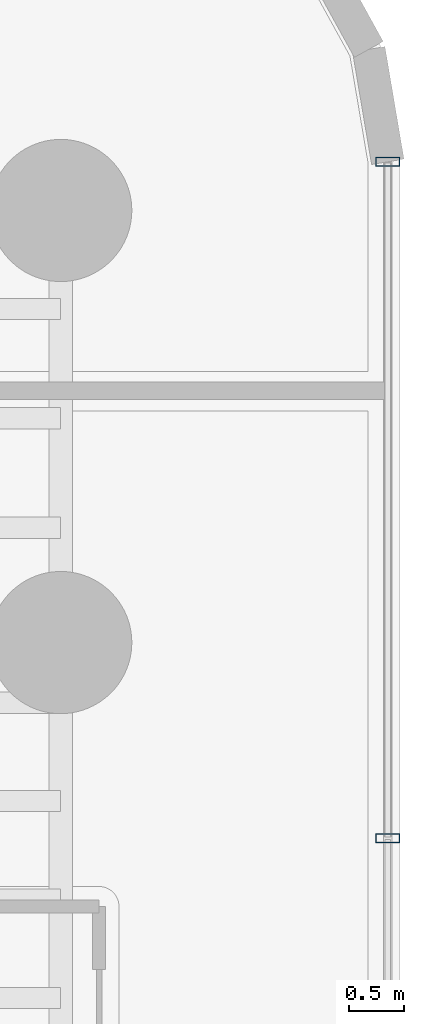
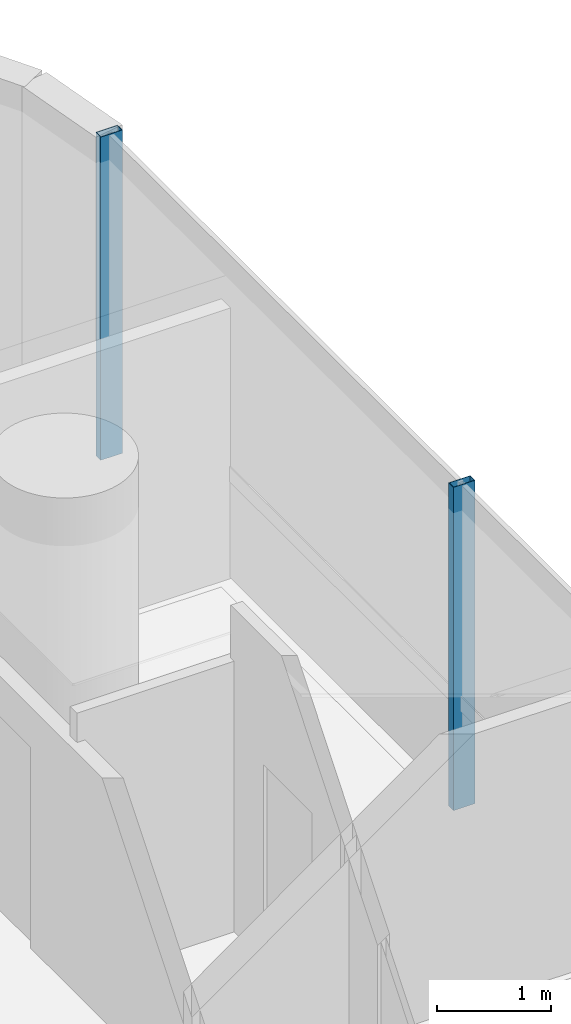
# One storey, part 27 of 41: 2 members, 1 element without a shape of its own.
"""IFC4 building model written with IfcOpenShell, lengths in metres."""

from ifc_helpers import new_model, si_unit, direction, frame, origin, origin_2d, place, context, subcontext, project, spatial, hollow_rectangle, extrude, source, transform, mapped, material, material_profile, profile_set, type_object, element, aggregate, save


model = new_model("IFC4")

# Units and contexts
model_context = context("Model", 3, precision=1e-05, world=origin(), true_north=direction((0.0, 1.0)))
body_context = subcontext(model_context, "Body", "Model", "MODEL_VIEW")
ifc_project = project(units=[si_unit("LENGTHUNIT", "METRE"), si_unit("AREAUNIT", "SQUARE_METRE"), si_unit("VOLUMEUNIT", "CUBIC_METRE"), si_unit("PLANEANGLEUNIT", "RADIAN"), si_unit("MASSUNIT", "GRAM", prefix="KILO")], contexts=[model_context])

# Site, building, storey
site_placement = place(None, origin())
site = spatial("IfcSite", under=ifc_project, at=site_placement, CompositionType="ELEMENT")
building_placement = place(site_placement, origin())
building = spatial("IfcBuilding", under=site, at=building_placement, Name="Valdorenza Pilgrim Sanctuary Tower", CompositionType="ELEMENT")
storey_placement = place(building_placement, frame((0.0, 0.0, 63.0)))
storey = spatial("IfcBuildingStorey", under=building, at=storey_placement, Name="L15", CompositionType="ELEMENT", Elevation=63.0)

# Curtain wall, members
ifc_material_1 = material(Name="Curtain-wall IGU glazing", Category="glass")
curtain_wall_type = type_object("IfcCurtainWallType", Name="CW-SYS-03", PredefinedType="NOTDEFINED", material=ifc_material_1)
curtain_wall_placement = place(storey_placement, origin())
curtain_wall = element("IfcCurtainWall", 1, at=curtain_wall_placement, inside=storey, type_object=curtain_wall_type, Name="L15 Curtain Wall CW-L15-1-21", PredefinedType="NOTDEFINED")
ifc_material_2 = material(Name="Anodised aluminium AW-6060", Category="aluminium")
ifc_material_profile = material_profile(ifc_material_2, hollow_rectangle(XDim=0.0849609375, YDim=0.219970703125, WallThickness=0.0048828125, at=origin_2d()), Name="ALU-M 220x85x5")
ifc_profile_set = profile_set([ifc_material_profile], Name="Anodised aluminium AW-6060")
member_type = type_object("IfcMemberType", Name="CW-MUL-03", PredefinedType="MULLION", material=ifc_profile_set)
shared_shape = source(origin(), body_context, "Body", "SweptSolid", [
    extrude(hollow_rectangle(XDim=0.0849609375, YDim=0.219970703125, WallThickness=0.0048828125, at=origin_2d()), origin(), (0.0, 0.0, 1.0), 3.4599609375),
])
member_1_placement = place(storey_placement, frame((31.389892578125, 13.945068359375, 0.0), z_axis=(0.0, 0.0, 1.0), x_axis=(0.0, -1.0, 0.0)))
member_1 = element("IfcMember", 2, at=member_1_placement, type_object=member_type, Name="CW-L15-1-21 Mullion 1", PredefinedType="MULLION", context=body_context, shape_type="MappedRepresentation", body=[
    mapped(shared_shape, transform((0.0, 0.0, 0.0), x_axis=(1.0, 0.0, 0.0), y_axis=(0.0, 1.0, 0.0), z_axis=(0.0, 0.0, 1.0), scale=1.0)),
])
member_2_placement = place(storey_placement, frame((31.389892578125, 7.761474609375, 0.0), z_axis=(0.0, 0.0, 1.0), x_axis=(0.0, -1.0, 0.0)))
member_2 = element("IfcMember", 3, at=member_2_placement, type_object=member_type, Name="CW-L15-1-21 Mullion 2", PredefinedType="MULLION", context=body_context, shape_type="MappedRepresentation", body=[
    mapped(shared_shape, transform((0.0, 0.0, 0.0), x_axis=(1.0, 0.0, 0.0), y_axis=(0.0, 1.0, 0.0), z_axis=(0.0, 0.0, 1.0), scale=1.0)),
])
aggregate(curtain_wall, [member_1, member_2])

save(model, "model.ifc")
